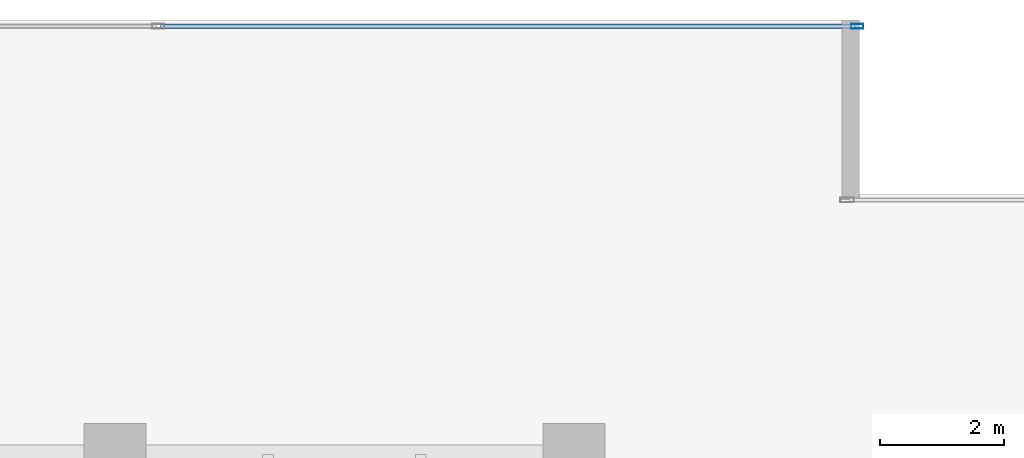
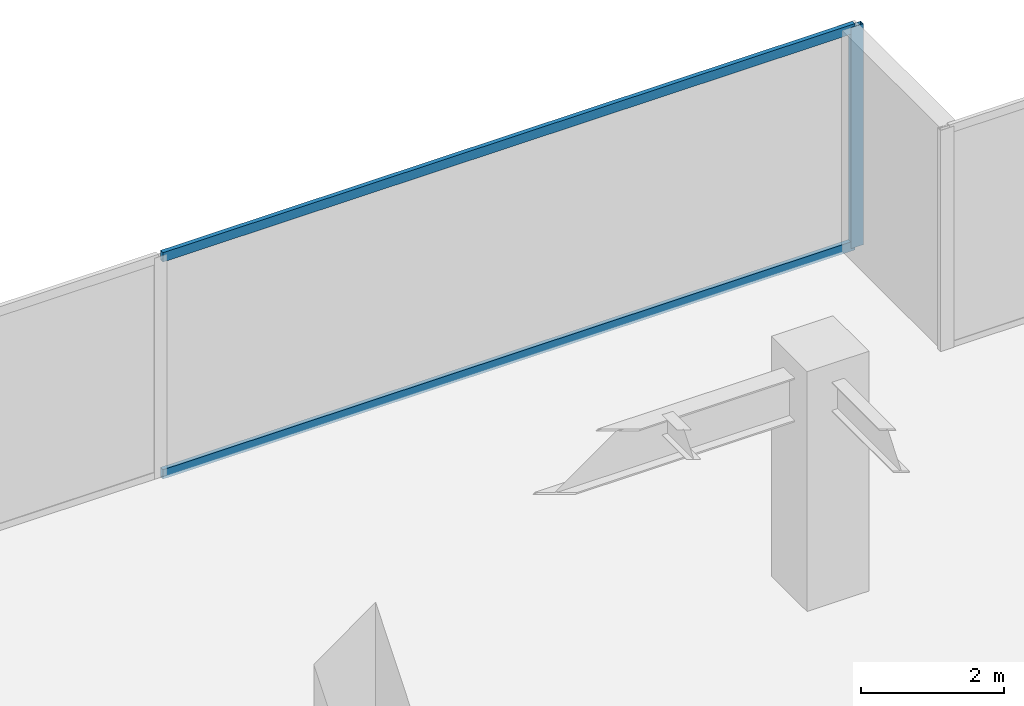
# One storey, part 27 of 35: 3 members, 1 element without a shape of its own.
"""IFC4 building model written with IfcOpenShell, lengths in metres."""

from ifc_helpers import new_model, si_unit, direction, frame, origin, origin_2d, place, context, subcontext, project, spatial, hollow_rectangle, extrude, source, transform, mapped, material, layer, layer_set, material_profile, profile_set, type_object, type_shapes, element, aggregate, save


model = new_model("IFC4")

# Units and contexts
model_context = context("Model", 3, precision=1e-05, world=origin(), true_north=direction((0.0, 1.0)))
body_context = subcontext(model_context, "Body", "Model", "MODEL_VIEW")
ifc_project = project(units=[si_unit("LENGTHUNIT", "METRE"), si_unit("AREAUNIT", "SQUARE_METRE"), si_unit("VOLUMEUNIT", "CUBIC_METRE"), si_unit("PLANEANGLEUNIT", "RADIAN"), si_unit("MASSUNIT", "GRAM", prefix="KILO")], contexts=[model_context])

# Site, building, storey
site_placement = place(None, origin())
site = spatial("IfcSite", under=ifc_project, at=site_placement, CompositionType="ELEMENT")
building_placement = place(site_placement, origin())
building = spatial("IfcBuilding", under=site, at=building_placement, Name="Haelvirn Gate Laboratories", CompositionType="ELEMENT")
storey_placement = place(building_placement, frame((0.0, 0.0, 58.0)))
storey = spatial("IfcBuildingStorey", under=building, at=storey_placement, Name="L14", CompositionType="ELEMENT", Elevation=58.0)

# Curtain wall, members
ifc_material_1 = material(Name="Anodised bronze unitised aluminium & triple low-E glass", Category="aluminium")
ifc_layer = layer(ifc_material_1, 0.18408203125, Name="CW-SYS-2")
ifc_layer_set = layer_set([ifc_layer], Name="Anodised bronze unitised aluminium & triple low-E glass")
curtain_wall_type = type_object("IfcCurtainWallType", Name="CW-SYS-2", PredefinedType="NOTDEFINED", material=ifc_layer_set)
curtain_wall_placement = place(storey_placement, origin())
curtain_wall = element("IfcCurtainWall", 1, at=curtain_wall_placement, inside=storey, type_object=curtain_wall_type, Name="L14 Unitised Curtain Wall CW-L14-P0-E10-1", PredefinedType="NOTDEFINED")
ifc_material_2 = material(Name="Extruded aluminium 6063-T6 (anodised bronze)", Category="aluminium")
ifc_material_profile_1 = material_profile(ifc_material_2, hollow_rectangle(XDim=0.074951171875, YDim=0.199951171875, WallThickness=0.0048828125, at=origin_2d()), Name="CWM-200x75x5")
ifc_profile_set_1 = profile_set([ifc_material_profile_1], Name="Extruded aluminium 6063-T6 (anodised bronze)")
member_type_1 = type_object("IfcMemberType", Name="CWM-T200", PredefinedType="MULLION", material=ifc_profile_set_1)
shared_shape_1 = source(origin(), body_context, "Body", "SweptSolid", [
    extrude(hollow_rectangle(XDim=0.074951171875, YDim=0.199951171875, WallThickness=0.0048828125, at=origin_2d()), origin(), (0.0, 0.0, 1.0), 3.780029296875),
])
type_shapes(member_type_1, [shared_shape_1])
member_1_placement = place(storey_placement, frame((71.96240234375, 48.5, 0.0), z_axis=(0.0, 0.0, 1.0), x_axis=(0.0, 1.0, 0.0)))
member_1 = element("IfcMember", 2, at=member_1_placement, type_object=member_type_1, Name="CW2 mullion 3", PredefinedType="MULLION", context=body_context, shape_type="MappedRepresentation", body=[
    mapped(shared_shape_1, transform((0.0, 0.0, 0.0), scale=1.0)),
])
ifc_material_profile_2 = material_profile(ifc_material_2, hollow_rectangle(XDim=0.070068359375, YDim=0.159912109375, WallThickness=0.0048828125, at=origin_2d()), Name="CWT-160x70x5")
ifc_profile_set_2 = profile_set([ifc_material_profile_2], Name="Extruded aluminium 6063-T6 (anodised bronze)")
member_type_2 = type_object("IfcMemberType", Name="CWT-T160", PredefinedType="USERDEFINED", material=ifc_profile_set_2)
shared_shape_2 = source(origin(), body_context, "Body", "SweptSolid", [
    extrude(hollow_rectangle(XDim=0.070068359375, YDim=0.159912109375, WallThickness=0.0048828125, at=origin_2d()), origin(), (0.0, 0.0, 1.0), 11.1875),
])
type_shapes(member_type_2, [shared_shape_2])
member_2_placement = place(storey_placement, frame((60.737548828125, 48.5, 0.034912109375), z_axis=(1.0, 0.0, 0.0), x_axis=(0.0, 1.0, 0.0)))
member_2 = element("IfcMember", 3, at=member_2_placement, type_object=member_type_2, Name="CW2 transom 2.1", ObjectType="TRANSOM", PredefinedType="USERDEFINED", context=body_context, shape_type="MappedRepresentation", body=[
    mapped(shared_shape_2, transform((0.0, 0.0, 0.0), scale=1.0)),
])
member_3_placement = place(storey_placement, frame((60.737548828125, 48.5, 3.7451171875), z_axis=(1.0, 0.0, 0.0), x_axis=(0.0, 1.0, 0.0)))
member_3 = element("IfcMember", 4, at=member_3_placement, type_object=member_type_2, Name="CW2 transom 2.2", ObjectType="TRANSOM", PredefinedType="USERDEFINED", context=body_context, shape_type="MappedRepresentation", body=[
    mapped(shared_shape_2, transform((0.0, 0.0, 0.0), scale=1.0)),
])
aggregate(curtain_wall, [member_1, member_2, member_3])

save(model, "model.ifc")
